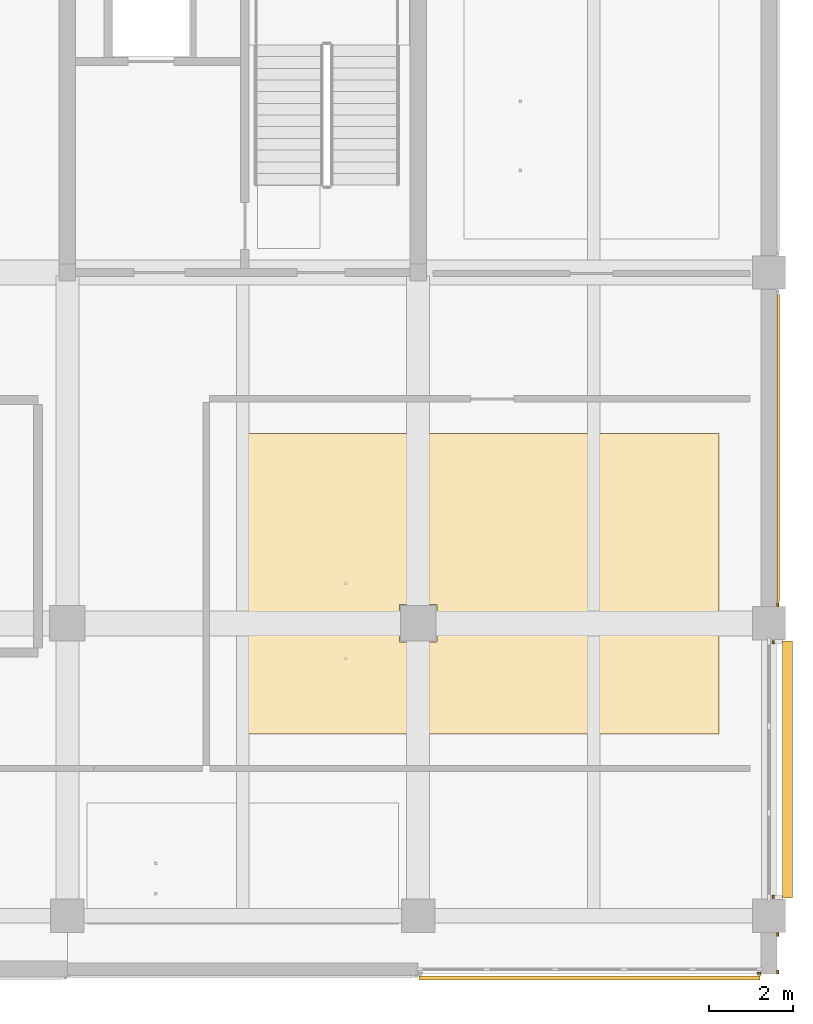
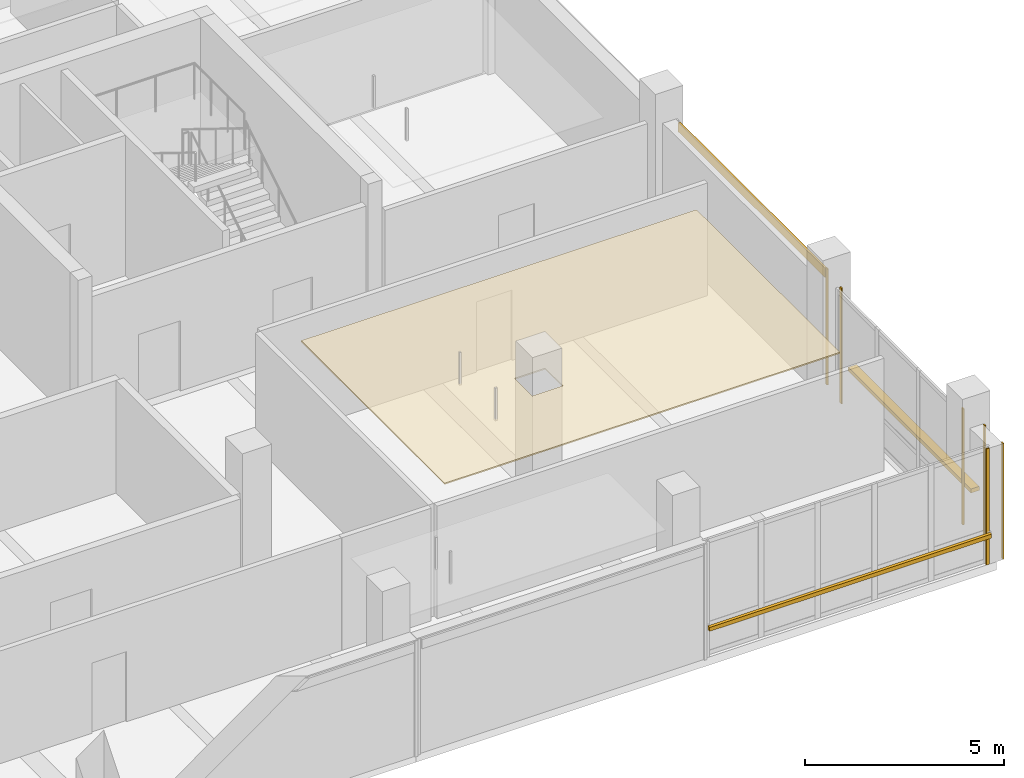
# One storey, part 29 of 35: 8 coverings, 2 shading devices.
"""IFC4 building model written with IfcOpenShell, lengths in metres."""

from ifc_helpers import new_model, si_unit, direction, frame, origin, origin_2d, place, context, subcontext, project, spatial, polyline, rectangle, outline, extrude, material, layer, layer_set, type_object, element, save


model = new_model("IFC4")

# Units and contexts
model_context = context("Model", 3, precision=1e-05, world=origin(), true_north=direction((0.0, 1.0)))
body_context = subcontext(model_context, "Body", "Model", "MODEL_VIEW")
ifc_project = project(units=[si_unit("LENGTHUNIT", "METRE"), si_unit("AREAUNIT", "SQUARE_METRE"), si_unit("VOLUMEUNIT", "CUBIC_METRE"), si_unit("PLANEANGLEUNIT", "RADIAN"), si_unit("MASSUNIT", "GRAM", prefix="KILO")], contexts=[model_context])

# Site, building, storey
site_placement = place(None, origin())
site = spatial("IfcSite", under=ifc_project, at=site_placement, CompositionType="ELEMENT")
building_placement = place(site_placement, origin())
building = spatial("IfcBuilding", under=site, at=building_placement, Name="Telukmera Botanical Conservatory", CompositionType="ELEMENT")
storey_placement = place(building_placement, frame((0.0, 0.0, 28.5)))
storey = spatial("IfcBuildingStorey", under=building, at=storey_placement, Name="L06", CompositionType="ELEMENT", Elevation=28.5)

# Coverings
ifc_material_1 = material(Name="Perforated gypsum acoustic ceiling")
ifc_layer_1 = layer(ifc_material_1, 0.0400390625)
ifc_layer_set_1 = layer_set([ifc_layer_1], Name="Perforated gypsum acoustic ceiling")
covering_type_1 = type_object("IfcCoveringType", Name="COV-CEIL-40", PredefinedType="CEILING", material=ifc_layer_set_1)
covering_1_placement = place(storey_placement, frame((0.0, 0.0, 3.31005859375)))
element("IfcCovering", 1, at=covering_1_placement, inside=storey, type_object=covering_type_1, Name="L06 East Herbarium Curation Studio Suspended Acoustic Ceiling", PredefinedType="CEILING", context=body_context, shape_type="SweptSolid", body=[
    extrude(outline(polyline([(96.550048828125, 14.949951171875), (108.0, 14.949951171875), (108.0, 22.14990234375), (96.550048828125, 22.14990234375), (96.550048828125, 14.949951171875)]), holes=[polyline([(100.35498046875, 17.155029296875), (101.2451171875, 17.155029296875), (101.2451171875, 18.044921875), (100.35498046875, 18.044921875), (100.35498046875, 17.155029296875)])]), origin(), (0.0, 0.0, 1.0), 0.0400390625),
])
ifc_material_2 = material(Name="Granite-faced precast concrete C40/50", Category="masonry")
ifc_layer_2 = layer(ifc_material_2, 0.0400390625)
ifc_layer_set_2 = layer_set([ifc_layer_2], Name="Granite-faced precast concrete C40/50")
covering_type_2 = type_object("IfcCoveringType", Name="Granite Precast Column Pier Reveal Casing", PredefinedType="CLADDING", material=ifc_layer_set_2)
for number, where, z_axis, x_axis, name in (
    (2, (109.409912109375, 9.25, 0.0), (0.0, 0.0, 1.0), (0.0, 1.0, 0.0), "Granite Pier Reveal V4:L06:SEC L"),
    (3, (109.409912109375, 10.14794921875, 0.0), (0.0, 0.0, 1.0), (0.0, 1.0, 0.0), "Granite Pier Reveal V4:L06:SEC R"),
    (4, (108.9580078125, 9.219970703125, 0.0), (0.0, 0.0, 1.0), (1.0, 0.0, 0.0), "Granite Pier Reveal V4:L06:S7 R"),
    (5, (109.300048828125, 11.052001953125, 0.0), (0.0, 0.0, 1.0), (0.0, 1.0, 0.0), "Granite Pier Reveal V4:L06:E1 L"),
    (6, (109.300048828125, 17.14794921875, 0.0), (0.0, 0.0, 1.0), (0.0, 1.0, 0.0), "Granite Pier Reveal V4:L06:E1 R"),
    (7, (109.409912109375, 18.052001953125, 0.0), (0.0, 0.0, 1.0), (0.0, 1.0, 0.0), "Granite Pier Reveal V4:L06:E2 L"),
):
    element("IfcCovering", number, at=place(storey_placement, frame(where, z_axis=z_axis, x_axis=x_axis)), inside=storey, type_object=covering_type_2, Name=name, PredefinedType="CLADDING", context=body_context, shape_type="SweptSolid", body=[
        extrude(rectangle(XDim=0.080078125, YDim=0.0400390625, at=origin_2d()), origin(), (0.0, 0.0, 1.0), 3.550048828125),
    ])

# Shading devices
ifc_material_3 = material(Name="Perforated terracotta-anodised aluminium 6063-T6", Category="masonry")
ifc_layer_3 = layer(ifc_material_3, 0.044921875)
ifc_layer_set_3 = layer_set([ifc_layer_3], Name="Perforated terracotta-anodised aluminium 6063-T6")
shading_device_type = type_object("IfcShadingDeviceType", Name="Perforated Terracotta Aluminium Monsoon Brise Soleil", PredefinedType="JALOUSIE", material=ifc_layer_set_3)
shading_device_1_placement = place(storey_placement, frame((104.905029296875, 9.10498046875, 0.889892578125), z_axis=(0.0, 0.0, 1.0), x_axis=(1.0, 0.0, 0.0)))
element("IfcShadingDevice", 8, at=shading_device_1_placement, inside=storey, type_object=shading_device_type, Name="Monsoon Shading BS01 V4:L06:S7", PredefinedType="JALOUSIE", context=body_context, shape_type="SweptSolid", body=[
    extrude(rectangle(XDim=8.166015625, YDim=0.090087890625, at=origin_2d()), origin(), (0.0, 0.0, 1.0), 0.1201171875),
])
shading_device_2_placement = place(storey_placement, frame((109.639892578125, 14.10009765625, 0.889892578125), z_axis=(0.0, 0.0, 1.0), x_axis=(0.0, 1.0, 0.0)))
element("IfcShadingDevice", 9, at=shading_device_2_placement, inside=storey, type_object=shading_device_type, Name="Monsoon Shading BS01 V4:L06:E1", PredefinedType="JALOUSIE", context=body_context, shape_type="SweptSolid", body=[
    extrude(rectangle(XDim=6.156005859375, YDim=0.239990234375, at=origin_2d()), origin(), (0.0, 0.0, 1.0), 0.1201171875),
])

# Covering
ifc_material_4 = material(Name="Terracotta-faced precast concrete C40/50", Category="masonry")
ifc_layer_4 = layer(ifc_material_4, 0.06005859375)
ifc_layer_set_4 = layer_set([ifc_layer_4], Name="Terracotta-faced precast concrete C40/50")
covering_type_3 = type_object("IfcCoveringType", Name="Polychrome Terracotta Facade Band Cladding", PredefinedType="CLADDING", material=ifc_layer_set_4)
covering_2_placement = place(storey_placement, frame((109.419921875, 21.800048828125, 3.22998046875), z_axis=(0.0, 0.0, 1.0), x_axis=(0.0, 1.0, 0.0)))
element("IfcCovering", 10, at=covering_2_placement, inside=storey, type_object=covering_type_3, Name="Polychrome Terracotta Band V4:L06:E2", PredefinedType="CLADDING", context=body_context, shape_type="SweptSolid", body=[
    extrude(rectangle(XDim=7.35595703125, YDim=0.06005859375, at=origin_2d()), origin(), (0.0, 0.0, 1.0), 0.280029296875),
])

save(model, "model.ifc")
